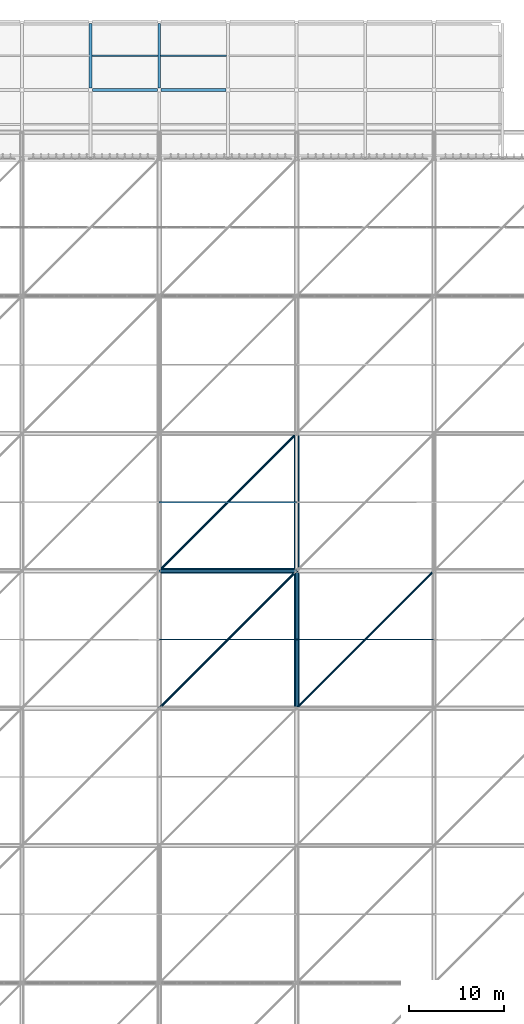
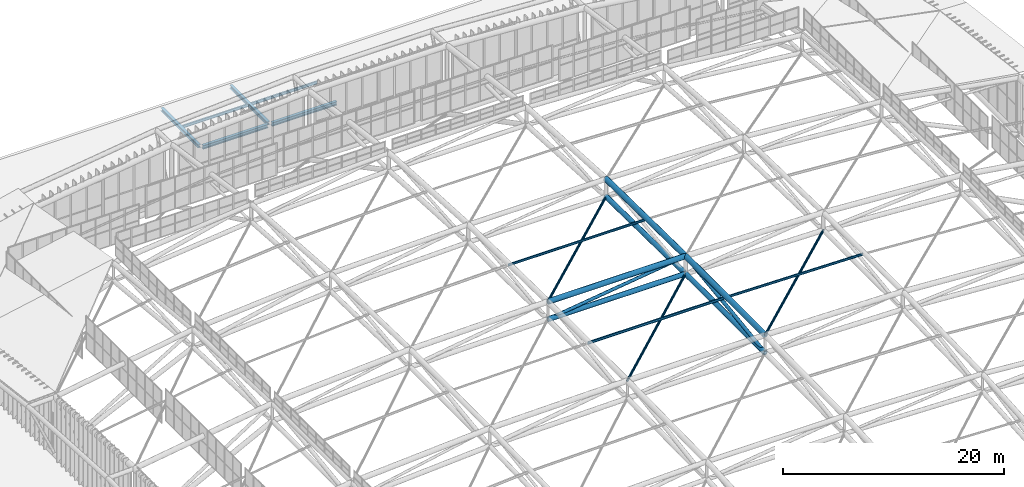
# One storey, part 265 of 397: 12 beams, 8 members.
"""IFC4 building model written with IfcOpenShell, lengths in metres."""

from ifc_helpers import new_model, si_unit, direction, frame, origin, origin_2d, place, context, subcontext, project, spatial, hollow_circle, i_section, extrude, material, material_profile, profile_set, type_object, element, save


model = new_model("IFC4")

# Units and contexts
model_context = context("Model", 3, precision=1e-05, world=origin(), true_north=direction((0.0, 1.0)))
body_context = subcontext(model_context, "Body", "Model", "MODEL_VIEW")
ifc_project = project(units=[si_unit("LENGTHUNIT", "METRE"), si_unit("AREAUNIT", "SQUARE_METRE"), si_unit("VOLUMEUNIT", "CUBIC_METRE"), si_unit("PLANEANGLEUNIT", "RADIAN"), si_unit("MASSUNIT", "GRAM", prefix="KILO")], contexts=[model_context])

# Site, building, storey
site_placement = place(None, origin())
site = spatial("IfcSite", under=ifc_project, at=site_placement, CompositionType="ELEMENT")
building_placement = place(site_placement, origin())
building = spatial("IfcBuilding", under=site, at=building_placement, Name="Qandorah Velis Arena", CompositionType="ELEMENT")
storey_placement = place(building_placement, frame((0.0, 0.0, 27.5)))
storey = spatial("IfcBuildingStorey", under=building, at=storey_placement, Name="RF", CompositionType="ELEMENT", Elevation=27.5)

# Beams
ifc_material = material(Name="Steel S355", Category="steel")
ifc_material_profile_1 = material_profile(ifc_material, i_section(OverallWidth=0.300048828125, OverallDepth=0.360107421875, WebThickness=0.012451171875, FlangeThickness=0.0224609375, FilletRadius=0.027099609375, at=origin_2d()), Name="HEB 360")
ifc_profile_set_1 = profile_set([ifc_material_profile_1], Name="Steel S355")
beam_type_1 = type_object("IfcBeamType", Name="STR-BM-HEB360", PredefinedType="BEAM", material=ifc_profile_set_1)
for number, where, z_axis, x_axis, name in (
    (1, (50.39990234375, 122.60009765625, -0.39990234375), (0.0, 1.0, 0.0), (-1.0, 0.0, 0.0), "Primary floor girder RF Y-102"),
    (2, (57.60009765625, 122.60009765625, -0.39990234375), (0.0, 1.0, 0.0), (-1.0, 0.0, 0.0), "Primary floor girder RF Y-106"),
):
    element("IfcBeam", number, at=place(storey_placement, frame(where, z_axis=z_axis, x_axis=x_axis)), inside=storey, type_object=beam_type_1, Name=name, PredefinedType="BEAM", context=body_context, shape_type="SweptSolid", body=[
        extrude(i_section(OverallWidth=0.300048828125, OverallDepth=0.360107421875, WebThickness=0.012451171875, FlangeThickness=0.0224609375, FilletRadius=0.027099609375, at=origin_2d()), origin(), (0.0, 0.0, 1.0), 6.7998046875),
    ])
ifc_material_profile_2 = material_profile(ifc_material, i_section(OverallWidth=0.300048828125, OverallDepth=0.39990234375, WebThickness=0.013427734375, FlangeThickness=0.02392578125, FilletRadius=0.027099609375, at=origin_2d()), Name="HEB 400")
ifc_profile_set_2 = profile_set([ifc_material_profile_2], Name="Steel S355")
beam_type_2 = type_object("IfcBeamType", Name="STR-BM-HEB400", PredefinedType="BEAM", material=ifc_profile_set_2)
beam_1_placement = place(storey_placement, frame((50.60009765625, 122.39990234375, -0.419921875), z_axis=(1.0, 0.0, 0.0), x_axis=(0.0, 1.0, 0.0)))
element("IfcBeam", 3, at=beam_1_placement, inside=storey, type_object=beam_type_2, Name="Primary floor girder RF X-048", PredefinedType="BEAM", context=body_context, shape_type="SweptSolid", body=[
    extrude(i_section(OverallWidth=0.300048828125, OverallDepth=0.39990234375, WebThickness=0.013427734375, FlangeThickness=0.02392578125, FilletRadius=0.027099609375, at=origin_2d()), origin(), (0.0, 0.0, 1.0), 6.7998046875),
])
beam_2_placement = place(storey_placement, frame((57.800048828125, 122.39990234375, -0.419921875), z_axis=(1.0, 0.0, 0.0), x_axis=(0.0, 1.0, 0.0)))
element("IfcBeam", 4, at=beam_2_placement, inside=storey, type_object=beam_type_2, Name="Primary floor girder RF X-049", PredefinedType="BEAM", context=body_context, shape_type="SweptSolid", body=[
    extrude(i_section(OverallWidth=0.300048828125, OverallDepth=0.39990234375, WebThickness=0.013427734375, FlangeThickness=0.02392578125, FilletRadius=0.027099609375, at=origin_2d()), origin(), (0.0, 0.0, 1.0), 6.800048828125),
])
ifc_material_profile_3 = material_profile(ifc_material, i_section(OverallWidth=0.14990234375, OverallDepth=0.300048828125, WebThickness=0.007080078125, FlangeThickness=0.0107421875, FilletRadius=0.014892578125, at=origin_2d()), Name="IPE 300")
ifc_profile_set_3 = profile_set([ifc_material_profile_3], Name="Steel S355")
beam_type_3 = type_object("IfcBeamType", Name="STR-JST-IPE300", PredefinedType="JOIST", material=ifc_profile_set_3)
beam_3_placement = place(storey_placement, frame((50.534912109375, 126.0, -0.3701171875), z_axis=(1.0, 0.0, 0.0), x_axis=(0.0, 1.0, 0.0)))
element("IfcBeam", 5, at=beam_3_placement, inside=storey, type_object=beam_type_3, Name="Secondary floor joist RF-028", PredefinedType="JOIST", context=body_context, shape_type="SweptSolid", body=[
    extrude(i_section(OverallWidth=0.14990234375, OverallDepth=0.300048828125, WebThickness=0.007080078125, FlangeThickness=0.0107421875, FilletRadius=0.014892578125, at=origin_2d()), origin(), (0.0, 0.0, 1.0), 6.93017578125),
])
beam_4_placement = place(storey_placement, frame((57.735107421875, 126.0, -0.3701171875), z_axis=(1.0, 0.0, 0.0), x_axis=(0.0, 1.0, 0.0)))
element("IfcBeam", 6, at=beam_4_placement, inside=storey, type_object=beam_type_3, Name="Secondary floor joist RF-032", PredefinedType="JOIST", context=body_context, shape_type="SweptSolid", body=[
    extrude(i_section(OverallWidth=0.14990234375, OverallDepth=0.300048828125, WebThickness=0.007080078125, FlangeThickness=0.0107421875, FilletRadius=0.014892578125, at=origin_2d()), origin(), (0.0, 0.0, 1.0), 6.929931640625),
])

# Members
ifc_material_profile_4 = material_profile(ifc_material, i_section(OverallWidth=0.1201171875, OverallDepth=0.239990234375, WebThickness=0.006103515625, FlangeThickness=0.009765625, FilletRadius=0.014892578125, at=origin_2d()), Name="IPE 240")
ifc_profile_set_4 = profile_set([ifc_material_profile_4], Name="Steel S355")
member_type_1 = type_object("IfcMemberType", Name="STR-PRL-IPE240", PredefinedType="PURLIN", material=ifc_profile_set_4)
member_1_placement = place(storey_placement, frame((57.60009765625, 79.199951171875, 10.257568359375), z_axis=(1.0, 0.0, 0.0), x_axis=(0.0, 1.0, 0.0)))
element("IfcMember", 7, at=member_1_placement, inside=storey, type_object=member_type_1, Name="Arena roof purlin PRL-3.4", PredefinedType="PURLIN", context=body_context, shape_type="SweptSolid", body=[
    extrude(i_section(OverallWidth=0.1201171875, OverallDepth=0.239990234375, WebThickness=0.006103515625, FlangeThickness=0.009765625, FilletRadius=0.014892578125, at=origin_2d()), origin(), (0.0, 0.0, 1.0), 14.39990234375),
])
member_2_placement = place(storey_placement, frame((72.0, 64.800048828125, 10.36181640625), z_axis=(0.99986921963, 0.0, -0.016172310799), x_axis=(0.0, 1.0, 0.0)))
element("IfcMember", 8, at=member_2_placement, inside=storey, type_object=member_type_1, Name="Arena roof purlin PRL-4.3", PredefinedType="PURLIN", context=body_context, shape_type="SweptSolid", body=[
    extrude(i_section(OverallWidth=0.1201171875, OverallDepth=0.239990234375, WebThickness=0.006103515625, FlangeThickness=0.009765625, FilletRadius=0.014892578125, at=origin_2d()), origin(), (0.0, 0.0, 1.0), 14.40185546875),
])
ifc_material_profile_5 = material_profile(ifc_material, i_section(OverallWidth=0.135009765625, OverallDepth=0.27001953125, WebThickness=0.006591796875, FlangeThickness=0.01025390625, FilletRadius=0.014892578125, at=origin_2d()), Name="IPE 270")
ifc_profile_set_5 = profile_set([ifc_material_profile_5], Name="Steel S355")
member_type_2 = type_object("IfcMemberType", Name="STR-PRL-IPE270", PredefinedType="PURLIN", material=ifc_profile_set_5)
member_3_placement = place(storey_placement, frame((57.60009765625, 64.800048828125, 10.36181640625), z_axis=(1.0, 0.0, 0.0), x_axis=(0.0, 1.0, 0.0)))
element("IfcMember", 9, at=member_3_placement, inside=storey, type_object=member_type_2, Name="Arena roof purlin PRL-3.3", PredefinedType="PURLIN", context=body_context, shape_type="SweptSolid", body=[
    extrude(i_section(OverallWidth=0.135009765625, OverallDepth=0.27001953125, WebThickness=0.006591796875, FlangeThickness=0.01025390625, FilletRadius=0.014892578125, at=origin_2d()), origin(), (0.0, 0.0, 1.0), 14.39990234375),
])

# Beams
ifc_material_profile_6 = material_profile(ifc_material, hollow_circle(Radius=0.25390625, WallThickness=0.02490234375, at=origin_2d()), Name="CHS 508x25")
ifc_profile_set_6 = profile_set([ifc_material_profile_6], Name="Steel S355")
beam_type_4 = type_object("IfcBeamType", Name="STR-SFC-CHS508X25", PredefinedType="USERDEFINED", material=ifc_profile_set_6)
beam_5_placement = place(storey_placement, frame((72.0, 57.60009765625, 8.6318359375), z_axis=(0.0, 1.0, 0.0), x_axis=(-1.0, 0.0, 0.0)))
element("IfcBeam", 10, at=beam_5_placement, inside=storey, type_object=beam_type_4, Name="Space frame roof truss bottom chord Y 4.3", ObjectType="ROOF TRUSS", PredefinedType="USERDEFINED", context=body_context, shape_type="SweptSolid", body=[
    extrude(hollow_circle(Radius=0.25390625, WallThickness=0.02490234375, at=origin_2d()), origin(), (0.0, 0.0, 1.0), 14.39990234375),
])
beam_6_placement = place(storey_placement, frame((72.0, 72.0, 8.6318359375), z_axis=(0.0, 0.99989519585, -0.014477476133), x_axis=(-1.0, 0.0, 0.0)))
element("IfcBeam", 11, at=beam_6_placement, inside=storey, type_object=beam_type_4, Name="Space frame roof truss bottom chord Y 4.4", ObjectType="ROOF TRUSS", PredefinedType="USERDEFINED", context=body_context, shape_type="SweptSolid", body=[
    extrude(hollow_circle(Radius=0.25390625, WallThickness=0.02490234375, at=origin_2d()), origin(), (0.0, 0.0, 1.0), 14.4013671875),
])
beam_7_placement = place(storey_placement, frame((57.60009765625, 72.0, 8.6318359375), z_axis=(1.0, 0.0, 0.0), x_axis=(0.0, 1.0, 0.0)))
element("IfcBeam", 12, at=beam_7_placement, inside=storey, type_object=beam_type_4, Name="Space frame roof truss bottom chord X 3.4", ObjectType="ROOF TRUSS", PredefinedType="USERDEFINED", context=body_context, shape_type="SweptSolid", body=[
    extrude(hollow_circle(Radius=0.25390625, WallThickness=0.02490234375, at=origin_2d()), origin(), (0.0, 0.0, 1.0), 14.39990234375),
])
ifc_material_profile_7 = material_profile(ifc_material, hollow_circle(Radius=0.279541015625, WallThickness=0.02490234375, at=origin_2d()), Name="CHS 559x25")
ifc_profile_set_7 = profile_set([ifc_material_profile_7], Name="Steel S355")
beam_type_5 = type_object("IfcBeamType", Name="STR-SFC-CHS559X25", PredefinedType="USERDEFINED", material=ifc_profile_set_7)
beam_8_placement = place(storey_placement, frame((72.0, 57.60009765625, 10.581787109375), z_axis=(0.0, 1.0, 0.0), x_axis=(-1.0, 0.0, 0.0)))
element("IfcBeam", 13, at=beam_8_placement, inside=storey, type_object=beam_type_5, Name="Space frame roof truss top chord Y 4.3", ObjectType="ROOF TRUSS", PredefinedType="USERDEFINED", context=body_context, shape_type="SweptSolid", body=[
    extrude(hollow_circle(Radius=0.279541015625, WallThickness=0.02490234375, at=origin_2d()), origin(), (0.0, 0.0, 1.0), 14.39990234375),
])
beam_9_placement = place(storey_placement, frame((72.0, 72.0, 10.581787109375), z_axis=(0.0, 0.99989519585, -0.014477476133), x_axis=(-1.0, 0.0, 0.0)))
element("IfcBeam", 14, at=beam_9_placement, inside=storey, type_object=beam_type_5, Name="Space frame roof truss top chord Y 4.4", ObjectType="ROOF TRUSS", PredefinedType="USERDEFINED", context=body_context, shape_type="SweptSolid", body=[
    extrude(hollow_circle(Radius=0.279541015625, WallThickness=0.02490234375, at=origin_2d()), origin(), (0.0, 0.0, 1.0), 14.4013671875),
])
beam_10_placement = place(storey_placement, frame((57.60009765625, 72.0, 10.581787109375), z_axis=(1.0, 0.0, 0.0), x_axis=(0.0, 1.0, 0.0)))
element("IfcBeam", 15, at=beam_10_placement, inside=storey, type_object=beam_type_5, Name="Space frame roof truss top chord X 3.4", ObjectType="ROOF TRUSS", PredefinedType="USERDEFINED", context=body_context, shape_type="SweptSolid", body=[
    extrude(hollow_circle(Radius=0.279541015625, WallThickness=0.02490234375, at=origin_2d()), origin(), (0.0, 0.0, 1.0), 14.39990234375),
])

# Members
ifc_material_profile_8 = material_profile(ifc_material, hollow_circle(Radius=0.122314453125, WallThickness=0.012451171875, at=origin_2d()), Name="CHS 244.5x12.5")
ifc_profile_set_8 = profile_set([ifc_material_profile_8], Name="Steel S355")
member_type_3 = type_object("IfcMemberType", Name="STR-SFD-CHS244X12", PredefinedType="STRUT", material=ifc_profile_set_8)
member_4_placement = place(storey_placement, frame((72.0, 72.0, 8.6318359375), z_axis=(-0.703887347423, -0.703887347423, 0.095316337931), x_axis=(0.707106781187, -0.707106781187, 0.0)))
element("IfcMember", 16, at=member_4_placement, inside=storey, type_object=member_type_3, Name="Space frame roof spatial diagonal 3.3", PredefinedType="STRUT", context=body_context, shape_type="SweptSolid", body=[
    extrude(hollow_circle(Radius=0.122314453125, WallThickness=0.012451171875, at=origin_2d()), origin(), (0.0, 0.0, 1.0), 20.457763671875),
])
member_5_placement = place(storey_placement, frame((72.0, 86.39990234375, 8.42333984375), z_axis=(-0.703168122329, -0.703168122329, 0.105400111382), x_axis=(0.707106781187, -0.707106781187, 0.0)))
element("IfcMember", 17, at=member_5_placement, inside=storey, type_object=member_type_3, Name="Space frame roof spatial diagonal 3.4", PredefinedType="STRUT", context=body_context, shape_type="SweptSolid", body=[
    extrude(hollow_circle(Radius=0.122314453125, WallThickness=0.012451171875, at=origin_2d()), origin(), (0.0, 0.0, 1.0), 20.478515625),
])
member_6_placement = place(storey_placement, frame((86.39990234375, 72.0, 8.39892578125), z_axis=(-0.703079282681, -0.703079282681, 0.106578818393), x_axis=(0.707106781187, -0.707106781187, 0.0)))
element("IfcMember", 18, at=member_6_placement, inside=storey, type_object=member_type_3, Name="Space frame roof spatial diagonal 4.3", PredefinedType="STRUT", context=body_context, shape_type="SweptSolid", body=[
    extrude(hollow_circle(Radius=0.122314453125, WallThickness=0.012451171875, at=origin_2d()), origin(), (0.0, 0.0, 1.0), 20.481201171875),
])
ifc_material_profile_9 = material_profile(ifc_material, hollow_circle(Radius=0.161865234375, WallThickness=0.012451171875, at=origin_2d()), Name="CHS 323.9x12.5")
ifc_profile_set_9 = profile_set([ifc_material_profile_9], Name="Steel S355")
member_type_4 = type_object("IfcMemberType", Name="STR-SFD-CHS323X12", PredefinedType="CHORD", material=ifc_profile_set_9)
member_7_placement = place(storey_placement, frame((57.60009765625, 72.0, 8.6318359375), z_axis=(0.990955693773, 0.0, 0.134189466721), x_axis=(0.0, 1.0, 0.0)))
element("IfcMember", 19, at=member_7_placement, inside=storey, type_object=member_type_4, Name="Space frame roof diagonal X 3.4", PredefinedType="CHORD", context=body_context, shape_type="SweptSolid", body=[
    extrude(hollow_circle(Radius=0.161865234375, WallThickness=0.012451171875, at=origin_2d()), origin(), (0.0, 0.0, 1.0), 14.53125),
])
ifc_material_profile_10 = material_profile(ifc_material, hollow_circle(Radius=0.177734375, WallThickness=0.012451171875, at=origin_2d()), Name="CHS 355.6x12.5")
ifc_profile_set_10 = profile_set([ifc_material_profile_10], Name="Steel S355")
member_type_5 = type_object("IfcMemberType", Name="STR-SFD-CHS355X12", PredefinedType="STRUT", material=ifc_profile_set_10)
member_8_placement = place(storey_placement, frame((72.0, 57.60009765625, 8.6318359375), z_axis=(0.0, 0.990955693773, 0.134189466721), x_axis=(-1.0, 0.0, 0.0)))
element("IfcMember", 20, at=member_8_placement, inside=storey, type_object=member_type_5, Name="Space frame roof diagonal Y 4.3", PredefinedType="STRUT", context=body_context, shape_type="SweptSolid", body=[
    extrude(hollow_circle(Radius=0.177734375, WallThickness=0.012451171875, at=origin_2d()), origin(), (0.0, 0.0, 1.0), 14.53125),
])

save(model, "model.ifc")
